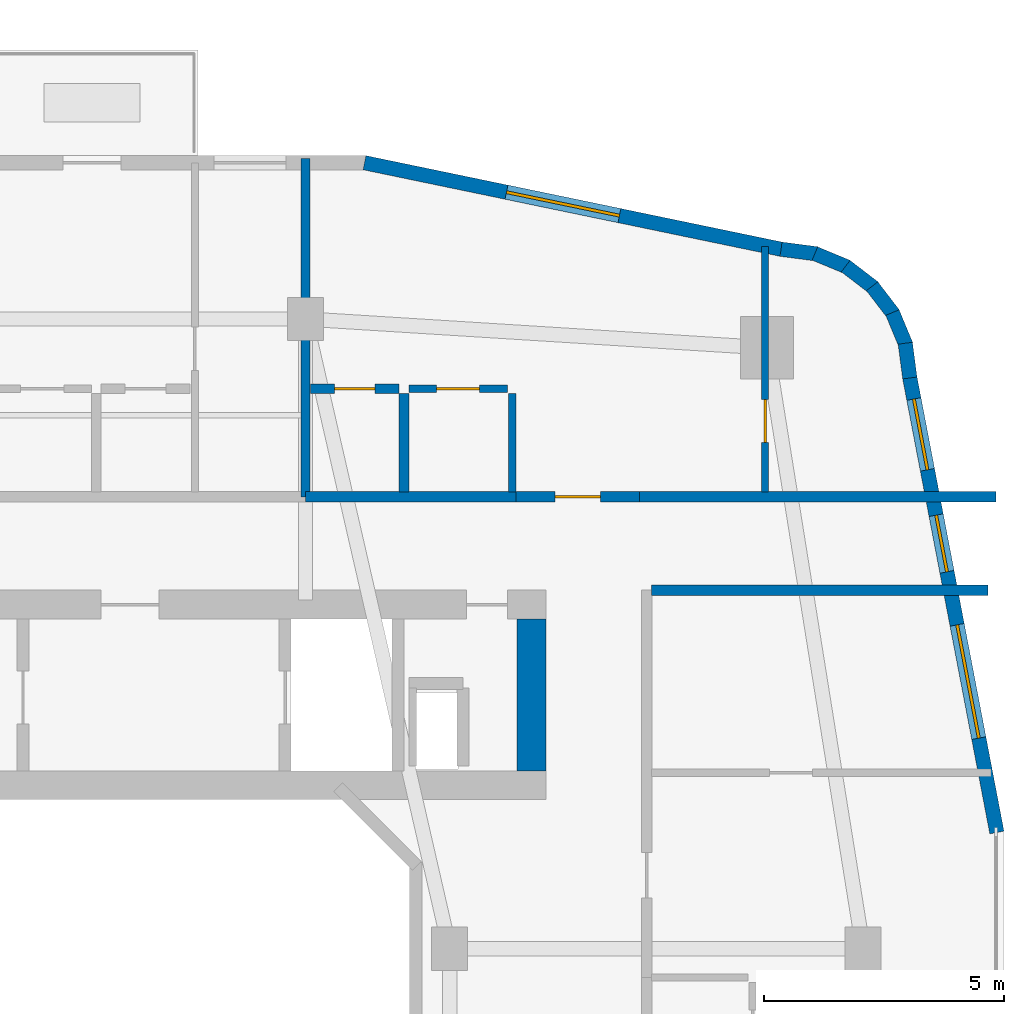
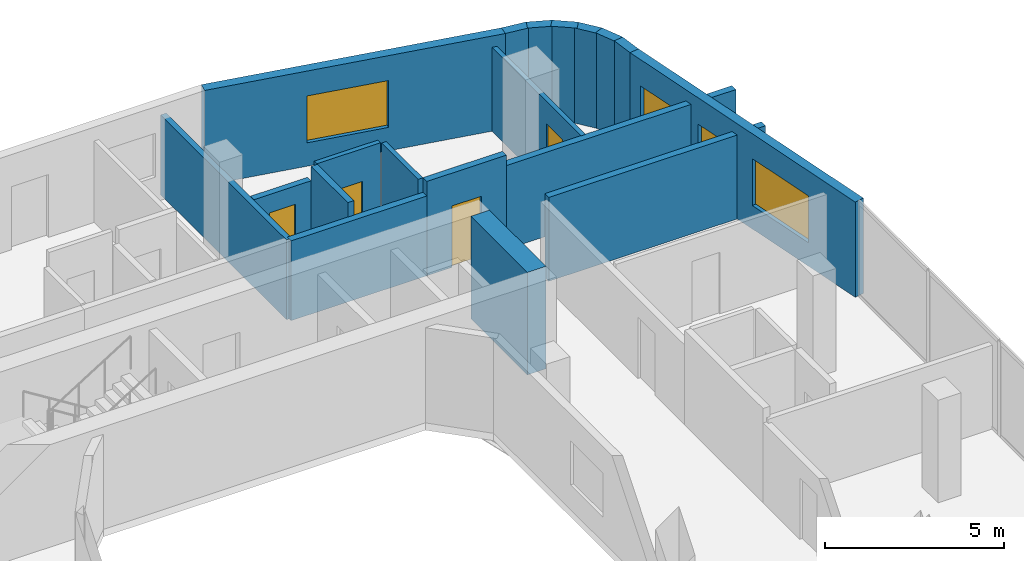
# One storey, part 16 of 22: 19 walls, 4 doors, 4 windows, 8 openings.
"""IFC4 building model written with IfcOpenShell, lengths in metres."""

from ifc_helpers import new_model, si_unit, derived_unit, direction, frame, frame_2d, origin, place, context, subcontext, project, spatial, rectangle, extrude, material, layer, layer_set, type_object, element, fill, save


model = new_model("IFC4")

# Units and contexts
model_context = context("Model", 3, precision=1e-05, world=origin(), true_north=direction((0.0, 1.0)))
body_context = subcontext(model_context, "Body", "Model", "MODEL_VIEW")
ifc_project = project(units=[si_unit("LENGTHUNIT", "METRE"), si_unit("AREAUNIT", "SQUARE_METRE"), si_unit("VOLUMEUNIT", "CUBIC_METRE"), si_unit("PLANEANGLEUNIT", "RADIAN"), si_unit("MASSUNIT", "GRAM", prefix="KILO"), derived_unit("THERMALTRANSMITTANCEUNIT", [(si_unit("POWERUNIT", "WATT"), 1), (si_unit("LENGTHUNIT", "METRE"), -2), (si_unit("THERMODYNAMICTEMPERATUREUNIT", "KELVIN"), -1)])], contexts=[model_context])

# Site, building, storey
site_placement = place(None, origin())
site = spatial("IfcSite", under=ifc_project, at=site_placement, CompositionType="ELEMENT")
building_placement = place(site_placement, origin())
building = spatial("IfcBuilding", under=site, at=building_placement, Name="Kivonza Crest Hotel", CompositionType="ELEMENT")
storey_placement = place(building_placement, frame((0.0, 0.0, 27.5)))
storey = spatial("IfcBuildingStorey", under=building, at=storey_placement, Name="L06", CompositionType="ELEMENT", Elevation=27.5)

# Walls
ifc_material_1 = material(Name="High-density acoustic masonry inter-tenancy wall", Category="masonry")
ifc_layer_1 = layer(ifc_material_1, 0.179931640625)
ifc_layer_set_1 = layer_set([ifc_layer_1], Name="High-density acoustic masonry inter-tenancy wall")
wall_type_1 = type_object("IfcWallType", Name="WL-ACOU-180", PredefinedType="SOLIDWALL", material=ifc_layer_set_1)
wall_1_placement = place(storey_placement, frame((81.39990234375, 37.89990234375, 0.0), z_axis=(0.0, 0.0, 1.0), x_axis=(0.0, 1.0, 0.0)))
element("IfcWall", 1, at=wall_1_placement, inside=storey, type_object=wall_type_1, Name="L06 interior partition WA-L06-T2N-DIV1", PredefinedType="SOLIDWALL", context=body_context, shape_type="SweptSolid", body=[
    extrude(rectangle(XDim=7.0400390625, YDim=0.179931640625, at=frame_2d((3.52001953125, 0.0))), origin(), (0.0, 0.0, 1.0), 2.72509765625),
])
ifc_material_2 = material(Name="Autoclaved aerated concrete blockwork", Category="masonry")
ifc_layer_2 = layer(ifc_material_2, 0.219970703125)
ifc_layer_set_2 = layer_set([ifc_layer_2], Name="Autoclaved aerated concrete blockwork")
wall_type_2 = type_object("IfcWallType", Name="WL-ACOU-220", PredefinedType="SOLIDWALL", material=ifc_layer_set_2)
wall_2_placement = place(storey_placement, frame((81.39990234375, 37.89990234375, 0.0), z_axis=(0.0, 0.0, 1.0), x_axis=(1.0, 0.0, 0.0)))
element("IfcWall", 2, at=wall_2_placement, inside=storey, type_object=wall_type_2, Name="L06 interior partition WA-L06-A02-LCORR", PredefinedType="SOLIDWALL", context=body_context, shape_type="SweptSolid", body=[
    extrude(rectangle(XDim=4.380126953125, YDim=0.219970703125, at=frame_2d((2.18994140625, 0.0))), origin(), (0.0, 0.0, 1.0), 2.72509765625),
])
wall_3_placement = place(storey_placement, frame((88.35009765625, 37.89990234375, 0.0), z_axis=(0.0, 0.0, 1.0), x_axis=(1.0, 0.0, 0.0)))
element("IfcWall", 3, at=wall_3_placement, inside=storey, type_object=wall_type_2, Name="L06 interior partition WA-L06-A02-RCORR", PredefinedType="SOLIDWALL", context=body_context, shape_type="SweptSolid", body=[
    extrude(rectangle(XDim=7.409912109375, YDim=0.219970703125, at=frame_2d((3.705078125, 0.0))), origin(), (0.0, 0.0, 1.0), 2.864990234375),
])

# Wall, opening, door
wall_4_placement = place(storey_placement, frame((85.780029296875, 37.89990234375, 0.0), z_axis=(0.0, 0.0, 1.0), x_axis=(1.0, 0.0, 0.0)))
wall_4 = element("IfcWall", 4, at=wall_4_placement, inside=storey, type_object=wall_type_2, Name="L06 interior partition WA-L06-A02-MCORR", PredefinedType="SOLIDWALL", context=body_context, shape_type="SweptSolid", body=[
    extrude(rectangle(XDim=2.570068359375, YDim=0.219970703125, at=frame_2d((1.28515625, 0.0))), origin(), (0.0, 0.0, 1.0), 3.219970703125),
])
opening_1_placement = place(wall_4_placement, frame((0.81005859375, 0.0, 0.0)))
opening_1 = element("IfcOpeningElement", 5, at=opening_1_placement, cuts=wall_4, Name="Opening DU-60", PredefinedType="OPENING", context=body_context, shape_type="SweptSolid", body=[
    extrude(rectangle(XDim=0.949951171875, YDim=2.10009765625, at=frame_2d((0.47509765625, 1.050048828125))), frame((0.0, 0.1201171875, 0.0), z_axis=(0.0, -1.0, 0.0), x_axis=(1.0, 0.0, 0.0)), (0.0, 0.0, 1.0), 0.239990234375),
])
ifc_material_3 = material(Name="Hardwood timber oak", Category="wood")
door_type_1 = type_object("IfcDoorType", Name="DR-UNIT-950", OperationType="NOTDEFINED", PredefinedType="DOOR", material=ifc_material_3)
door_1_placement = place(opening_1_placement, origin())
door_1 = element("IfcDoor", 6, at=door_1_placement, inside=storey, type_object=door_type_1, Name="L06 A02 apartment entrance fire door", OperationType="SINGLE_SWING_RIGHT", OverallHeight=2.10009765625, OverallWidth=0.949951171875, PredefinedType="DOOR", context=body_context, shape_type="SweptSolid", body=[
    extrude(rectangle(XDim=0.949951171875, YDim=2.10009765625, at=frame_2d((0.47509765625, 1.050048828125))), frame((0.0, 0.02490234375, 0.0), z_axis=(0.0, -1.0, 0.0), x_axis=(1.0, 0.0, 0.0)), (0.0, 0.0, 1.0), 0.050048828125),
])
fill(opening_1, door_1)

# Walls
wall_5_placement = place(storey_placement, frame((88.60009765625, 35.9599609375, 0.0), z_axis=(0.0, 0.0, 1.0), x_axis=(1.0, 0.0, 0.0)))
element("IfcWall", 7, at=wall_5_placement, inside=storey, type_object=wall_type_2, Name="L06 interior partition WA-L06-T2E-ENDN", PredefinedType="SOLIDWALL", context=body_context, shape_type="SweptSolid", body=[
    extrude(rectangle(XDim=7.0, YDim=0.219970703125, at=frame_2d((3.5, 0.0))), origin(), (0.0, 0.0, 1.0), 2.864990234375),
])
ifc_material_4 = material(Name="Concrete C60/75", Category="concrete")
ifc_layer_3 = layer(ifc_material_4, 0.60009765625)
ifc_layer_set_3 = layer_set([ifc_layer_3], Name="Concrete C60/75")
wall_type_3 = type_object("IfcWallType", Name="WL-CORE-600", PredefinedType="SHEAR", material=ifc_layer_set_3)
wall_6_placement = place(storey_placement, frame((86.10009765625, 32.199951171875, 0.0), z_axis=(0.0, 0.0, 1.0), x_axis=(0.0, 1.0, 0.0)))
element("IfcWall", 8, at=wall_6_placement, inside=storey, type_object=wall_type_3, Name="Core wall T2-N East L06", PredefinedType="SHEAR", context=body_context, shape_type="SweptSolid", body=[
    extrude(rectangle(XDim=3.16015625, YDim=0.60009765625, at=frame_2d((1.580078125, 0.0))), origin(), (0.0, 0.0, 1.0), 3.5),
])

# Wall, openings, windows
ifc_material_5 = material(Name="Precast concrete C40/50", Category="concrete")
ifc_layer_4 = layer(ifc_material_5, 0.300048828125)
ifc_layer_set_4 = layer_set([ifc_layer_4], Name="Precast concrete C40/50")
wall_type_4 = type_object("IfcWallType", Name="WL-EXT-300", PredefinedType="STANDARD", material=ifc_layer_set_4)
wall_7_placement = place(storey_placement, frame((95.782958984375, 30.91796875, 0.0), z_axis=(0.0, 0.0, 1.0), x_axis=(-0.188087874316, 0.982152203854, 0.0)))
wall_7 = element("IfcWall", 9, at=wall_7_placement, inside=storey, type_object=wall_type_4, Name="L06 T2 exterior insulated wall 18", PredefinedType="STANDARD", context=body_context, shape_type="SweptSolid", body=[
    extrude(rectangle(XDim=9.6337890625, YDim=0.300048828125, at=frame_2d((4.81689453125, 0.0))), origin(), (0.0, 0.0, 1.0), 3.25),
])
opening_2_placement = place(wall_7_placement, frame((1.9990234375, 0.0, 0.800048828125)))
opening_2 = element("IfcOpeningElement", 10, at=opening_2_placement, cuts=wall_7, Name="Opening WN-05", PredefinedType="OPENING", context=body_context, shape_type="SweptSolid", body=[
    extrude(rectangle(XDim=2.39990234375, YDim=1.60009765625, at=frame_2d((1.199951171875, 0.800048828125))), frame((0.0, 0.16015625, 0.0), z_axis=(0.0, -1.0, 0.0), x_axis=(1.0, 0.0, 0.0)), (0.0, 0.0, 1.0), 0.320068359375),
])
opening_3_placement = place(wall_7_placement, frame((5.52099609375, 0.0, 0.85009765625)))
opening_3 = element("IfcOpeningElement", 11, at=opening_3_placement, cuts=wall_7, Name="Opening WN-01", PredefinedType="OPENING", context=body_context, shape_type="SweptSolid", body=[
    extrude(rectangle(XDim=1.199951171875, YDim=1.5, at=frame_2d((0.60009765625, 0.75))), frame((0.0, 0.16015625, 0.0), z_axis=(0.0, -1.0, 0.0), x_axis=(1.0, 0.0, 0.0)), (0.0, 0.0, 1.0), 0.320068359375),
])
opening_4_placement = place(wall_7_placement, frame((7.681884765625, 0.0, 0.85009765625)))
opening_4 = element("IfcOpeningElement", 12, at=opening_4_placement, cuts=wall_7, Name="Opening WN-02", PredefinedType="OPENING", context=body_context, shape_type="SweptSolid", body=[
    extrude(rectangle(XDim=1.5, YDim=1.5, at=frame_2d((0.75, 0.75))), frame((0.0, 0.16015625, 0.0), z_axis=(0.0, -1.0, 0.0), x_axis=(1.0, 0.0, 0.0)), (0.0, 0.0, 1.0), 0.320068359375),
])
ifc_material_6 = material(Name="Thermally broken bronze aluminium and low-E double glazing", Category="aluminium")
window_type_1 = type_object("IfcWindowType", Name="WN-120x150", PartitioningType="SINGLE_PANEL", PredefinedType="WINDOW", material=ifc_material_6)
window_1_placement = place(opening_3_placement, origin())
window_1 = element("IfcWindow", 13, at=window_1_placement, inside=storey, type_object=window_type_1, Name="L06 T2 facade window 18 bay 2", OverallHeight=1.5, OverallWidth=1.199951171875, PartitioningType="SINGLE_PANEL", PredefinedType="WINDOW", context=body_context, shape_type="SweptSolid", body=[
    extrude(rectangle(XDim=1.199951171875, YDim=1.5, at=frame_2d((0.60009765625, 0.75))), frame((0.0, 0.030029296875, 0.0), z_axis=(0.0, -1.0, 0.0), x_axis=(1.0, 0.0, 0.0)), (0.0, 0.0, 1.0), 0.06005859375),
])
fill(opening_3, window_1)
window_type_2 = type_object("IfcWindowType", Name="WN-150x150", PartitioningType="DOUBLE_PANEL_VERTICAL", PredefinedType="WINDOW", material=ifc_material_6)
window_2_placement = place(opening_4_placement, origin())
window_2 = element("IfcWindow", 14, at=window_2_placement, inside=storey, type_object=window_type_2, Name="L06 T2 facade window 18 bay 3", OverallHeight=1.5, OverallWidth=1.5, PartitioningType="SINGLE_PANEL", PredefinedType="WINDOW", context=body_context, shape_type="SweptSolid", body=[
    extrude(rectangle(XDim=1.5, YDim=1.5, at=frame_2d((0.75, 0.75))), frame((0.0, 0.030029296875, 0.0), z_axis=(0.0, -1.0, 0.0), x_axis=(1.0, 0.0, 0.0)), (0.0, 0.0, 1.0), 0.06005859375),
])
fill(opening_4, window_2)
window_type_3 = type_object("IfcWindowType", Name="WN-240x160", PartitioningType="TRIPLE_PANEL_VERTICAL", PredefinedType="WINDOW", material=ifc_material_6)
window_3_placement = place(opening_2_placement, origin())
window_3 = element("IfcWindow", 15, at=window_3_placement, inside=storey, type_object=window_type_3, Name="L06 T2 facade window 18 bay 1", OverallHeight=1.60009765625, OverallWidth=2.39990234375, PartitioningType="SINGLE_PANEL", PredefinedType="WINDOW", context=body_context, shape_type="SweptSolid", body=[
    extrude(rectangle(XDim=2.39990234375, YDim=1.60009765625, at=frame_2d((1.199951171875, 0.800048828125))), frame((0.0, 0.030029296875, 0.0), z_axis=(0.0, -1.0, 0.0), x_axis=(1.0, 0.0, 0.0)), (0.0, 0.0, 1.0), 0.06005859375),
])
fill(opening_2, window_3)

# Walls
wall_8_placement = place(storey_placement, frame((93.971923828125, 40.373046875, 0.0), z_axis=(0.0, 0.0, 1.0), x_axis=(-0.130255288807, 0.991480488834, 0.0)))
element("IfcWall", 16, at=wall_8_placement, inside=storey, type_object=wall_type_4, Name="L06 T2 exterior insulated wall 19", PredefinedType="STANDARD", context=body_context, shape_type="SweptSolid", body=[
    extrude(rectangle(XDim=0.72900390625, YDim=0.300048828125, at=frame_2d((0.364501953125, 0.0))), origin(), (0.0, 0.0, 1.0), 3.25),
])
wall_9_placement = place(storey_placement, frame((93.89599609375, 41.044921875, 0.0), z_axis=(0.0, 0.0, 1.0), x_axis=(-0.383267045233, 0.923637576129, 0.0)))
element("IfcWall", 17, at=wall_9_placement, inside=storey, type_object=wall_type_4, Name="L06 T2 exterior insulated wall 20", PredefinedType="STANDARD", context=body_context, shape_type="SweptSolid", body=[
    extrude(rectangle(XDim=0.745849609375, YDim=0.300048828125, at=frame_2d((0.373046875, 0.0))), origin(), (0.0, 0.0, 1.0), 3.25),
])
for number, where, z_axis, x_axis, name in (
    (18, (93.64111328125, 41.68896484375, 0.0), (0.0, 0.0, 1.0), (-0.608603261071, 0.793474681772, 0.0), "L06 T2 exterior insulated wall 21"),
    (19, (93.22900390625, 42.24609375, 0.0), (0.0, 0.0, 1.0), (-0.79363269798, 0.608397189915, 0.0), "L06 T2 exterior insulated wall 22"),
):
    element("IfcWall", number, at=place(storey_placement, frame(where, z_axis=z_axis, x_axis=x_axis)), inside=storey, type_object=wall_type_4, Name=name, PredefinedType="STANDARD", context=body_context, shape_type="SweptSolid", body=[
        extrude(rectangle(XDim=0.74609375, YDim=0.300048828125, at=frame_2d((0.373046875, 0.0))), origin(), (0.0, 0.0, 1.0), 3.25),
    ])
wall_10_placement = place(storey_placement, frame((92.68603515625, 42.676025390625, 0.0), z_axis=(0.0, 0.0, 1.0), x_axis=(-0.923637576129, 0.383267045233, 0.0)))
element("IfcWall", 20, at=wall_10_placement, inside=storey, type_object=wall_type_4, Name="L06 T2 exterior insulated wall 23", PredefinedType="STANDARD", context=body_context, shape_type="SweptSolid", body=[
    extrude(rectangle(XDim=0.745849609375, YDim=0.300048828125, at=frame_2d((0.373046875, 0.0))), origin(), (0.0, 0.0, 1.0), 3.25),
])
wall_11_placement = place(storey_placement, frame((92.051025390625, 42.952880859375, 0.0), z_axis=(0.0, 0.0, 1.0), x_axis=(-0.991559404866, 0.129653178221, 0.0)))
element("IfcWall", 21, at=wall_11_placement, inside=storey, type_object=wall_type_4, Name="L06 T2 exterior insulated wall 24", PredefinedType="STANDARD", context=body_context, shape_type="SweptSolid", body=[
    extrude(rectangle(XDim=0.764404296875, YDim=0.300048828125, at=frame_2d((0.38232421875, 0.0))), origin(), (0.0, 0.0, 1.0), 3.25),
])

# Wall, opening, window
wall_12_placement = place(storey_placement, frame((91.298095703125, 43.051025390625, 0.0), z_axis=(0.0, 0.0, 1.0), x_axis=(-0.979120793441, 0.203279295189, 0.0)))
wall_12 = element("IfcWall", 22, at=wall_12_placement, inside=storey, type_object=wall_type_4, Name="L06 T2 exterior insulated wall 25", PredefinedType="STANDARD", context=body_context, shape_type="SweptSolid", body=[
    extrude(rectangle(XDim=8.85498046875, YDim=0.300048828125, at=frame_2d((4.427490234375, 0.0))), origin(), (0.0, 0.0, 1.0), 3.25),
])
opening_5_placement = place(wall_12_placement, frame((3.43896484375, 0.0, 0.800048828125)))
opening_5 = element("IfcOpeningElement", 23, at=opening_5_placement, cuts=wall_12, Name="Opening WN-05", PredefinedType="OPENING", context=body_context, shape_type="SweptSolid", body=[
    extrude(rectangle(XDim=2.39990234375, YDim=1.60009765625, at=frame_2d((1.199951171875, 0.800048828125))), frame((0.0, 0.16015625, 0.0), z_axis=(0.0, -1.0, 0.0), x_axis=(1.0, 0.0, 0.0)), (0.0, 0.0, 1.0), 0.320068359375),
])
window_4_placement = place(opening_5_placement, origin())
window_4 = element("IfcWindow", 24, at=window_4_placement, inside=storey, type_object=window_type_3, Name="L06 T2 facade window 25", OverallHeight=1.60009765625, OverallWidth=2.39990234375, PartitioningType="SINGLE_PANEL", PredefinedType="WINDOW", context=body_context, shape_type="SweptSolid", body=[
    extrude(rectangle(XDim=2.39990234375, YDim=1.60009765625, at=frame_2d((1.199951171875, 0.800048828125))), frame((0.0, 0.030029296875, 0.0), z_axis=(0.0, -1.0, 0.0), x_axis=(1.0, 0.0, 0.0)), (0.0, 0.0, 1.0), 0.06005859375),
])
fill(opening_5, window_4)

# Wall, opening, door
ifc_material_7 = material(Name="Twin-stud acoustic gypsum board partition", Category="gypsum")
ifc_layer_5 = layer(ifc_material_7, 0.14990234375)
ifc_layer_set_5 = layer_set([ifc_layer_5], Name="Twin-stud acoustic gypsum board partition")
wall_type_5 = type_object("IfcWallType", Name="WL-PART-150", PredefinedType="PARTITIONING", material=ifc_layer_set_5)
wall_13_placement = place(storey_placement, frame((90.9599609375, 38.0, 0.0), z_axis=(0.0, 0.0, 1.0), x_axis=(0.0, 1.0, 0.0)))
wall_13 = element("IfcWall", 25, at=wall_13_placement, inside=storey, type_object=wall_type_5, Name="L06 interior partition WP-L06-A02-BDW1", PredefinedType="PARTITIONING", context=body_context, shape_type="SweptSolid", body=[
    extrude(rectangle(XDim=5.113037109375, YDim=0.14990234375, at=frame_2d((2.556640625, 0.0))), origin(), (0.0, 0.0, 1.0), 2.864990234375),
])
opening_6_placement = place(wall_13_placement, frame((1.030029296875, 0.0, 0.0)))
opening_6 = element("IfcOpeningElement", 26, at=opening_6_placement, cuts=wall_13, Name="Opening DI-90", PredefinedType="OPENING", context=body_context, shape_type="SweptSolid", body=[
    extrude(rectangle(XDim=0.89990234375, YDim=2.10009765625, at=frame_2d((0.449951171875, 1.050048828125))), frame((0.0, 0.0849609375, 0.0), z_axis=(0.0, -1.0, 0.0), x_axis=(1.0, 0.0, 0.0)), (0.0, 0.0, 1.0), 0.169921875),
])
door_type_2 = type_object("IfcDoorType", Name="DR-INT-900", OperationType="NOTDEFINED", PredefinedType="DOOR", material=ifc_material_3)
door_2_placement = place(opening_6_placement, origin())
door_2 = element("IfcDoor", 27, at=door_2_placement, inside=storey, type_object=door_type_2, Name="L06 A02 bedroom 1 door", OperationType="SINGLE_SWING_LEFT", OverallHeight=2.10009765625, OverallWidth=0.89990234375, PredefinedType="DOOR", context=body_context, shape_type="SweptSolid", body=[
    extrude(rectangle(XDim=0.89990234375, YDim=2.10009765625, at=frame_2d((0.449951171875, 1.050048828125))), frame((0.0, 0.02490234375, 0.0), z_axis=(0.0, -1.0, 0.0), x_axis=(1.0, 0.0, 0.0)), (0.0, 0.0, 1.0), 0.050048828125),
])
fill(opening_6, door_2)

# Wall
wall_14_placement = place(storey_placement, frame((85.699951171875, 38.0, 0.0), z_axis=(0.0, 0.0, 1.0), x_axis=(0.0, 1.0, 0.0)))
element("IfcWall", 28, at=wall_14_placement, inside=storey, type_object=wall_type_5, Name="L06 interior partition WP-L06-A02-KF", PredefinedType="PARTITIONING", context=body_context, shape_type="SweptSolid", body=[
    extrude(rectangle(XDim=2.050048828125, YDim=0.14990234375, at=frame_2d((1.02490234375, 0.0))), origin(), (0.0, 0.0, 1.0), 3.219970703125),
])

# Wall, opening, door
wall_15_placement = place(storey_placement, frame((83.550048828125, 40.14990234375, 0.0), z_axis=(0.0, 0.0, 1.0), x_axis=(1.0, 0.0, 0.0)))
wall_15 = element("IfcWall", 29, at=wall_15_placement, inside=storey, type_object=wall_type_5, Name="L06 interior partition WP-L06-A02-KSVC", PredefinedType="PARTITIONING", context=body_context, shape_type="SweptSolid", body=[
    extrude(rectangle(XDim=2.050048828125, YDim=0.14990234375, at=frame_2d((1.02490234375, 0.0))), origin(), (0.0, 0.0, 1.0), 3.219970703125),
])
opening_7_placement = place(wall_15_placement, frame((0.574951171875, 0.0, 0.0)))
opening_7 = element("IfcOpeningElement", 30, at=opening_7_placement, cuts=wall_15, Name="Opening DI-90", PredefinedType="OPENING", context=body_context, shape_type="SweptSolid", body=[
    extrude(rectangle(XDim=0.89990234375, YDim=2.10009765625, at=frame_2d((0.449951171875, 1.050048828125))), frame((0.0, 0.0849609375, 0.0), z_axis=(0.0, -1.0, 0.0), x_axis=(1.0, 0.0, 0.0)), (0.0, 0.0, 1.0), 0.169921875),
])
door_3_placement = place(opening_7_placement, origin())
door_3 = element("IfcDoor", 31, at=door_3_placement, inside=storey, type_object=door_type_2, Name="L06 A02 apartment kitchen door", OperationType="SINGLE_SWING_RIGHT", OverallHeight=2.10009765625, OverallWidth=0.89990234375, PredefinedType="DOOR", context=body_context, shape_type="SweptSolid", body=[
    extrude(rectangle(XDim=0.89990234375, YDim=2.10009765625, at=frame_2d((0.449951171875, 1.050048828125))), frame((0.0, 0.02490234375, 0.0), z_axis=(0.0, -1.0, 0.0), x_axis=(1.0, 0.0, 0.0)), (0.0, 0.0, 1.0), 0.050048828125),
])
fill(opening_7, door_3)

# Wall
ifc_material_8 = material(Name="Moisture-resistant plumbing chase partition wall", Category="gypsum")
ifc_layer_6 = layer(ifc_material_8, 0.199951171875)
ifc_layer_set_6 = layer_set([ifc_layer_6], Name="Moisture-resistant plumbing chase partition wall")
wall_type_6 = type_object("IfcWallType", Name="WL-PLUMB-200", PredefinedType="PLUMBINGWALL", material=ifc_layer_set_6)
wall_16_placement = place(storey_placement, frame((83.449951171875, 38.0, 0.0), z_axis=(0.0, 0.0, 1.0), x_axis=(0.0, 1.0, 0.0)))
element("IfcWall", 32, at=wall_16_placement, inside=storey, type_object=wall_type_6, Name="L06 interior partition WW-L06-A02-BK", PredefinedType="PLUMBINGWALL", context=body_context, shape_type="SweptSolid", body=[
    extrude(rectangle(XDim=2.050048828125, YDim=0.199951171875, at=frame_2d((1.02490234375, 0.0))), origin(), (0.0, 0.0, 1.0), 3.219970703125),
])

# Wall, opening, door
wall_17_placement = place(storey_placement, frame((81.5, 40.14990234375, 0.0), z_axis=(0.0, 0.0, 1.0), x_axis=(1.0, 0.0, 0.0)))
wall_17 = element("IfcWall", 33, at=wall_17_placement, inside=storey, type_object=wall_type_6, Name="L06 interior partition WW-L06-A02-BSVC", PredefinedType="PLUMBINGWALL", context=body_context, shape_type="SweptSolid", body=[
    extrude(rectangle(XDim=1.85009765625, YDim=0.199951171875, at=frame_2d((0.925048828125, 0.0))), origin(), (0.0, 0.0, 1.0), 2.72509765625),
])
opening_8_placement = place(wall_17_placement, frame((0.5, 0.0, 0.0)))
opening_8 = element("IfcOpeningElement", 34, at=opening_8_placement, cuts=wall_17, Name="Opening DI-85", PredefinedType="OPENING", context=body_context, shape_type="SweptSolid", body=[
    extrude(rectangle(XDim=0.85009765625, YDim=2.10009765625, at=frame_2d((0.425048828125, 1.050048828125))), frame((0.0, 0.10986328125, 0.0), z_axis=(0.0, -1.0, 0.0), x_axis=(1.0, 0.0, 0.0)), (0.0, 0.0, 1.0), 0.219970703125),
])
door_type_3 = type_object("IfcDoorType", Name="DR-INT-850", OperationType="NOTDEFINED", PredefinedType="DOOR", material=ifc_material_3)
door_4_placement = place(opening_8_placement, origin())
door_4 = element("IfcDoor", 35, at=door_4_placement, inside=storey, type_object=door_type_3, Name="L06 A02 apartment bathroom door", OperationType="SINGLE_SWING_LEFT", OverallHeight=2.10009765625, OverallWidth=0.85009765625, PredefinedType="DOOR", context=body_context, shape_type="SweptSolid", body=[
    extrude(rectangle(XDim=0.85009765625, YDim=2.10009765625, at=frame_2d((0.425048828125, 1.050048828125))), frame((0.0, 0.02490234375, 0.0), z_axis=(0.0, -1.0, 0.0), x_axis=(1.0, 0.0, 0.0)), (0.0, 0.0, 1.0), 0.050048828125),
])
fill(opening_8, door_4)

save(model, "model.ifc")
